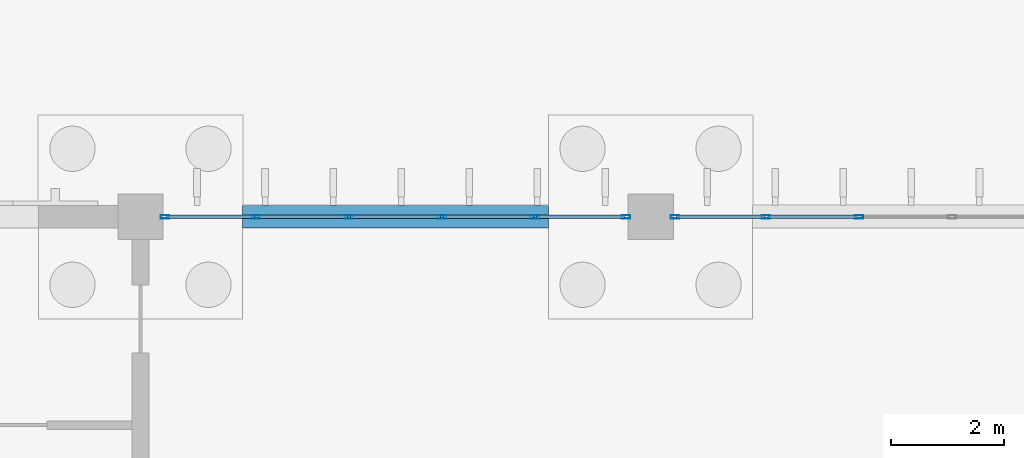
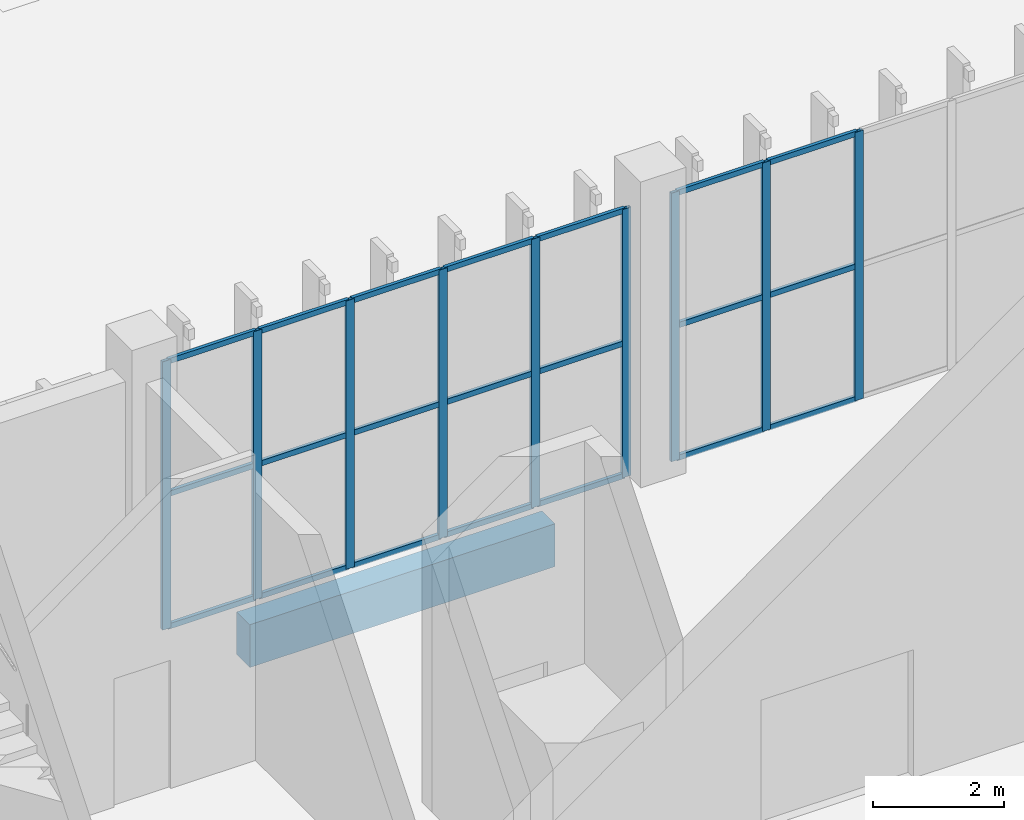
# One storey, part 51 of 198: 30 members, 1 beam, 2 elements without a shape of their own.
"""IFC4 building model written with IfcOpenShell, lengths in metres."""

from ifc_helpers import new_model, si_unit, direction, frame, origin, origin_2d, place, context, subcontext, project, spatial, rectangle, hollow_rectangle, extrude, material, layer, layer_set, material_profile, profile_set, type_object, element, aggregate, save


model = new_model("IFC4")

# Units and contexts
model_context = context("Model", 3, precision=1e-05, world=origin(), true_north=direction((0.0, 1.0)))
body_context = subcontext(model_context, "Body", "Model", "MODEL_VIEW")
ifc_project = project(units=[si_unit("LENGTHUNIT", "METRE"), si_unit("AREAUNIT", "SQUARE_METRE"), si_unit("VOLUMEUNIT", "CUBIC_METRE"), si_unit("PLANEANGLEUNIT", "RADIAN"), si_unit("MASSUNIT", "GRAM", prefix="KILO")], contexts=[model_context])

# Site, building, storey
site_placement = place(None, origin())
site = spatial("IfcSite", under=ifc_project, at=site_placement, CompositionType="ELEMENT")
building_placement = place(site_placement, origin())
building = spatial("IfcBuilding", under=site, at=building_placement, Name="Opaline Strait Convention Centre", CompositionType="ELEMENT")
storey_placement = place(building_placement, origin())
storey = spatial("IfcBuildingStorey", under=building, at=storey_placement, Name="L00", CompositionType="ELEMENT", Elevation=0.0)

# Curtain wall, members
ifc_material_1 = material(Name="Aluminium 6063-T5", Category="aluminium")
ifc_layer = layer(ifc_material_1, 0.199951171875)
ifc_layer_set = layer_set([ifc_layer], Name="Aluminium 6063-T5")
curtain_wall_type = type_object("IfcCurtainWallType", Name="Unitised curtain wall 1640 module", PredefinedType="NOTDEFINED", material=ifc_layer_set)
curtain_wall_1_placement = place(storey_placement, origin())
curtain_wall_1 = element("IfcCurtainWall", 1, at=curtain_wall_1_placement, inside=storey, type_object=curtain_wall_type, Name="Ballroom north curtain wall L00 bay 2", PredefinedType="NOTDEFINED")
ifc_material_2 = material(Name="Aluminium alloy 6063", Category="aluminium")
ifc_material_profile_1 = material_profile(ifc_material_2, hollow_rectangle(XDim=0.06005859375, YDim=0.14990234375, WallThickness=0.00390625, at=origin_2d()), Name="MULLION 60x150x4")
ifc_profile_set_1 = profile_set([ifc_material_profile_1], Name="Aluminium alloy 6063")
member_type_1 = type_object("IfcMemberType", Name="Curtain wall mullion 60 x 150", PredefinedType="MULLION", material=ifc_profile_set_1)
member_1_placement = place(storey_placement, frame((297.429931640625, 72.0, 0.0), z_axis=(0.0, 0.0, 1.0), x_axis=(0.0, 1.0, 0.0)))
member_1 = element("IfcMember", 2, at=member_1_placement, type_object=member_type_1, Name="BG2 mullion 1", PredefinedType="MULLION", context=body_context, shape_type="SweptSolid", body=[
    extrude(hollow_rectangle(XDim=0.06005859375, YDim=0.14990234375, WallThickness=0.00390625, at=origin_2d()), origin(), (0.0, 0.0, 1.0), 5.02001953125),
])
member_2_placement = place(storey_placement, frame((299.0400390625, 72.0, 0.0), z_axis=(0.0, 0.0, 1.0), x_axis=(0.0, 1.0, 0.0)))
member_2 = element("IfcMember", 3, at=member_2_placement, type_object=member_type_1, Name="BG2 mullion 2", PredefinedType="MULLION", context=body_context, shape_type="SweptSolid", body=[
    extrude(hollow_rectangle(XDim=0.06005859375, YDim=0.14990234375, WallThickness=0.00390625, at=origin_2d()), origin(), (0.0, 0.0, 1.0), 5.02001953125),
])
member_3_placement = place(storey_placement, frame((300.679931640625, 72.0, 0.0), z_axis=(0.0, 0.0, 1.0), x_axis=(0.0, 1.0, 0.0)))
member_3 = element("IfcMember", 4, at=member_3_placement, type_object=member_type_1, Name="BG2 mullion 3", PredefinedType="MULLION", context=body_context, shape_type="SweptSolid", body=[
    extrude(hollow_rectangle(XDim=0.06005859375, YDim=0.14990234375, WallThickness=0.00390625, at=origin_2d()), origin(), (0.0, 0.0, 1.0), 5.02001953125),
])
member_4_placement = place(storey_placement, frame((302.320068359375, 72.0, 0.0), z_axis=(0.0, 0.0, 1.0), x_axis=(0.0, 1.0, 0.0)))
member_4 = element("IfcMember", 5, at=member_4_placement, type_object=member_type_1, Name="BG2 mullion 4", PredefinedType="MULLION", context=body_context, shape_type="SweptSolid", body=[
    extrude(hollow_rectangle(XDim=0.06005859375, YDim=0.14990234375, WallThickness=0.00390625, at=origin_2d()), origin(), (0.0, 0.0, 1.0), 5.02001953125),
])
member_5_placement = place(storey_placement, frame((303.9599609375, 72.0, 0.0), z_axis=(0.0, 0.0, 1.0), x_axis=(0.0, 1.0, 0.0)))
member_5 = element("IfcMember", 6, at=member_5_placement, type_object=member_type_1, Name="BG2 mullion 5", PredefinedType="MULLION", context=body_context, shape_type="SweptSolid", body=[
    extrude(hollow_rectangle(XDim=0.06005859375, YDim=0.14990234375, WallThickness=0.00390625, at=origin_2d()), origin(), (0.0, 0.0, 1.0), 5.02001953125),
])
member_6_placement = place(storey_placement, frame((305.570068359375, 72.0, 0.0), z_axis=(0.0, 0.0, 1.0), x_axis=(0.0, 1.0, 0.0)))
member_6 = element("IfcMember", 7, at=member_6_placement, type_object=member_type_1, Name="BG2 mullion 6", PredefinedType="MULLION", context=body_context, shape_type="SweptSolid", body=[
    extrude(hollow_rectangle(XDim=0.06005859375, YDim=0.14990234375, WallThickness=0.00390625, at=origin_2d()), origin(), (0.0, 0.0, 1.0), 5.02001953125),
])

curtain_wall_2_placement = place(storey_placement, origin())
curtain_wall_2 = element("IfcCurtainWall", 8, at=curtain_wall_2_placement, inside=storey, type_object=curtain_wall_type, Name="Ballroom north curtain wall L00 bay 3", PredefinedType="NOTDEFINED")
member_7_placement = place(storey_placement, frame((306.429931640625, 72.0, 0.0), z_axis=(0.0, 0.0, 1.0), x_axis=(0.0, 1.0, 0.0)))
member_7 = element("IfcMember", 9, at=member_7_placement, type_object=member_type_1, Name="BG2 mullion 1", PredefinedType="MULLION", context=body_context, shape_type="SweptSolid", body=[
    extrude(hollow_rectangle(XDim=0.06005859375, YDim=0.14990234375, WallThickness=0.00390625, at=origin_2d()), origin(), (0.0, 0.0, 1.0), 5.02001953125),
])
member_8_placement = place(storey_placement, frame((308.0400390625, 72.0, 0.0), z_axis=(0.0, 0.0, 1.0), x_axis=(0.0, 1.0, 0.0)))
member_8 = element("IfcMember", 10, at=member_8_placement, type_object=member_type_1, Name="BG2 mullion 2", PredefinedType="MULLION", context=body_context, shape_type="SweptSolid", body=[
    extrude(hollow_rectangle(XDim=0.06005859375, YDim=0.14990234375, WallThickness=0.00390625, at=origin_2d()), origin(), (0.0, 0.0, 1.0), 5.02001953125),
])
member_9_placement = place(storey_placement, frame((309.679931640625, 72.0, 0.0), z_axis=(0.0, 0.0, 1.0), x_axis=(0.0, 1.0, 0.0)))
member_9 = element("IfcMember", 11, at=member_9_placement, type_object=member_type_1, Name="BG2 mullion 3", PredefinedType="MULLION", context=body_context, shape_type="SweptSolid", body=[
    extrude(hollow_rectangle(XDim=0.06005859375, YDim=0.14990234375, WallThickness=0.00390625, at=origin_2d()), origin(), (0.0, 0.0, 1.0), 5.02001953125),
])

# Member
ifc_material_profile_2 = material_profile(ifc_material_2, hollow_rectangle(XDim=0.06005859375, YDim=0.10009765625, WallThickness=0.0029296875, at=origin_2d()), Name="TRANSOM 60x100x3")
ifc_profile_set_2 = profile_set([ifc_material_profile_2], Name="Aluminium alloy 6063")
member_type_2 = type_object("IfcMemberType", Name="Curtain wall transom 60 x 100", PredefinedType="USERDEFINED", material=ifc_profile_set_2)
member_10_placement = place(storey_placement, frame((297.4599609375, 72.0, 0.030029296875), z_axis=(1.0, 0.0, 0.0), x_axis=(0.0, 1.0, 0.0)))
member_10 = element("IfcMember", 12, at=member_10_placement, type_object=member_type_2, Name="BG2 transom 1.1", ObjectType="TRANSOM", PredefinedType="USERDEFINED", context=body_context, shape_type="SweptSolid", body=[
    extrude(hollow_rectangle(XDim=0.06005859375, YDim=0.10009765625, WallThickness=0.0029296875, at=origin_2d()), origin(), (0.0, 0.0, 1.0), 1.550048828125),
])

member_11_placement = place(storey_placement, frame((297.4599609375, 72.0, 2.510009765625), z_axis=(1.0, 0.0, 0.0), x_axis=(0.0, 1.0, 0.0)))
member_11 = element("IfcMember", 13, at=member_11_placement, type_object=member_type_2, Name="BG2 transom 1.2", ObjectType="TRANSOM", PredefinedType="USERDEFINED", context=body_context, shape_type="SweptSolid", body=[
    extrude(hollow_rectangle(XDim=0.06005859375, YDim=0.10009765625, WallThickness=0.0029296875, at=origin_2d()), origin(), (0.0, 0.0, 1.0), 1.550048828125),
])

member_12_placement = place(storey_placement, frame((297.4599609375, 72.0, 4.989990234375), z_axis=(1.0, 0.0, 0.0), x_axis=(0.0, 1.0, 0.0)))
member_12 = element("IfcMember", 14, at=member_12_placement, type_object=member_type_2, Name="BG2 transom 1.3", ObjectType="TRANSOM", PredefinedType="USERDEFINED", context=body_context, shape_type="SweptSolid", body=[
    extrude(hollow_rectangle(XDim=0.06005859375, YDim=0.10009765625, WallThickness=0.0029296875, at=origin_2d()), origin(), (0.0, 0.0, 1.0), 1.550048828125),
])

member_13_placement = place(storey_placement, frame((299.06982421875, 72.0, 0.030029296875), z_axis=(1.0, 0.0, 0.0), x_axis=(0.0, 1.0, 0.0)))
member_13 = element("IfcMember", 15, at=member_13_placement, type_object=member_type_2, Name="BG2 transom 2.1", ObjectType="TRANSOM", PredefinedType="USERDEFINED", context=body_context, shape_type="SweptSolid", body=[
    extrude(hollow_rectangle(XDim=0.06005859375, YDim=0.10009765625, WallThickness=0.0029296875, at=origin_2d()), origin(), (0.0, 0.0, 1.0), 1.580078125),
])

member_14_placement = place(storey_placement, frame((299.06982421875, 72.0, 2.510009765625), z_axis=(1.0, 0.0, 0.0), x_axis=(0.0, 1.0, 0.0)))
member_14 = element("IfcMember", 16, at=member_14_placement, type_object=member_type_2, Name="BG2 transom 2.2", ObjectType="TRANSOM", PredefinedType="USERDEFINED", context=body_context, shape_type="SweptSolid", body=[
    extrude(hollow_rectangle(XDim=0.06005859375, YDim=0.10009765625, WallThickness=0.0029296875, at=origin_2d()), origin(), (0.0, 0.0, 1.0), 1.580078125),
])

member_15_placement = place(storey_placement, frame((299.06982421875, 72.0, 4.989990234375), z_axis=(1.0, 0.0, 0.0), x_axis=(0.0, 1.0, 0.0)))
member_15 = element("IfcMember", 17, at=member_15_placement, type_object=member_type_2, Name="BG2 transom 2.3", ObjectType="TRANSOM", PredefinedType="USERDEFINED", context=body_context, shape_type="SweptSolid", body=[
    extrude(hollow_rectangle(XDim=0.06005859375, YDim=0.10009765625, WallThickness=0.0029296875, at=origin_2d()), origin(), (0.0, 0.0, 1.0), 1.580078125),
])

member_16_placement = place(storey_placement, frame((300.7099609375, 72.0, 0.030029296875), z_axis=(1.0, 0.0, 0.0), x_axis=(0.0, 1.0, 0.0)))
member_16 = element("IfcMember", 18, at=member_16_placement, type_object=member_type_2, Name="BG2 transom 3.1", ObjectType="TRANSOM", PredefinedType="USERDEFINED", context=body_context, shape_type="SweptSolid", body=[
    extrude(hollow_rectangle(XDim=0.06005859375, YDim=0.10009765625, WallThickness=0.0029296875, at=origin_2d()), origin(), (0.0, 0.0, 1.0), 1.580078125),
])

member_17_placement = place(storey_placement, frame((300.7099609375, 72.0, 2.510009765625), z_axis=(1.0, 0.0, 0.0), x_axis=(0.0, 1.0, 0.0)))
member_17 = element("IfcMember", 19, at=member_17_placement, type_object=member_type_2, Name="BG2 transom 3.2", ObjectType="TRANSOM", PredefinedType="USERDEFINED", context=body_context, shape_type="SweptSolid", body=[
    extrude(hollow_rectangle(XDim=0.06005859375, YDim=0.10009765625, WallThickness=0.0029296875, at=origin_2d()), origin(), (0.0, 0.0, 1.0), 1.580078125),
])

member_18_placement = place(storey_placement, frame((300.7099609375, 72.0, 4.989990234375), z_axis=(1.0, 0.0, 0.0), x_axis=(0.0, 1.0, 0.0)))
member_18 = element("IfcMember", 20, at=member_18_placement, type_object=member_type_2, Name="BG2 transom 3.3", ObjectType="TRANSOM", PredefinedType="USERDEFINED", context=body_context, shape_type="SweptSolid", body=[
    extrude(hollow_rectangle(XDim=0.06005859375, YDim=0.10009765625, WallThickness=0.0029296875, at=origin_2d()), origin(), (0.0, 0.0, 1.0), 1.580078125),
])

member_19_placement = place(storey_placement, frame((302.35009765625, 72.0, 0.030029296875), z_axis=(1.0, 0.0, 0.0), x_axis=(0.0, 1.0, 0.0)))
member_19 = element("IfcMember", 21, at=member_19_placement, type_object=member_type_2, Name="BG2 transom 4.1", ObjectType="TRANSOM", PredefinedType="USERDEFINED", context=body_context, shape_type="SweptSolid", body=[
    extrude(hollow_rectangle(XDim=0.06005859375, YDim=0.10009765625, WallThickness=0.0029296875, at=origin_2d()), origin(), (0.0, 0.0, 1.0), 1.580078125),
])

member_20_placement = place(storey_placement, frame((302.35009765625, 72.0, 2.510009765625), z_axis=(1.0, 0.0, 0.0), x_axis=(0.0, 1.0, 0.0)))
member_20 = element("IfcMember", 22, at=member_20_placement, type_object=member_type_2, Name="BG2 transom 4.2", ObjectType="TRANSOM", PredefinedType="USERDEFINED", context=body_context, shape_type="SweptSolid", body=[
    extrude(hollow_rectangle(XDim=0.06005859375, YDim=0.10009765625, WallThickness=0.0029296875, at=origin_2d()), origin(), (0.0, 0.0, 1.0), 1.580078125),
])

member_21_placement = place(storey_placement, frame((302.35009765625, 72.0, 4.989990234375), z_axis=(1.0, 0.0, 0.0), x_axis=(0.0, 1.0, 0.0)))
member_21 = element("IfcMember", 23, at=member_21_placement, type_object=member_type_2, Name="BG2 transom 4.3", ObjectType="TRANSOM", PredefinedType="USERDEFINED", context=body_context, shape_type="SweptSolid", body=[
    extrude(hollow_rectangle(XDim=0.06005859375, YDim=0.10009765625, WallThickness=0.0029296875, at=origin_2d()), origin(), (0.0, 0.0, 1.0), 1.580078125),
])

member_22_placement = place(storey_placement, frame((303.989990234375, 72.0, 0.030029296875), z_axis=(1.0, 0.0, 0.0), x_axis=(0.0, 1.0, 0.0)))
member_22 = element("IfcMember", 24, at=member_22_placement, type_object=member_type_2, Name="BG2 transom 5.1", ObjectType="TRANSOM", PredefinedType="USERDEFINED", context=body_context, shape_type="SweptSolid", body=[
    extrude(hollow_rectangle(XDim=0.06005859375, YDim=0.10009765625, WallThickness=0.0029296875, at=origin_2d()), origin(), (0.0, 0.0, 1.0), 1.550048828125),
])

member_23_placement = place(storey_placement, frame((303.989990234375, 72.0, 2.510009765625), z_axis=(1.0, 0.0, 0.0), x_axis=(0.0, 1.0, 0.0)))
member_23 = element("IfcMember", 25, at=member_23_placement, type_object=member_type_2, Name="BG2 transom 5.2", ObjectType="TRANSOM", PredefinedType="USERDEFINED", context=body_context, shape_type="SweptSolid", body=[
    extrude(hollow_rectangle(XDim=0.06005859375, YDim=0.10009765625, WallThickness=0.0029296875, at=origin_2d()), origin(), (0.0, 0.0, 1.0), 1.550048828125),
])

member_24_placement = place(storey_placement, frame((303.989990234375, 72.0, 4.989990234375), z_axis=(1.0, 0.0, 0.0), x_axis=(0.0, 1.0, 0.0)))
member_24 = element("IfcMember", 26, at=member_24_placement, type_object=member_type_2, Name="BG2 transom 5.3", ObjectType="TRANSOM", PredefinedType="USERDEFINED", context=body_context, shape_type="SweptSolid", body=[
    extrude(hollow_rectangle(XDim=0.06005859375, YDim=0.10009765625, WallThickness=0.0029296875, at=origin_2d()), origin(), (0.0, 0.0, 1.0), 1.550048828125),
])

aggregate(curtain_wall_1, [member_1, member_2, member_3, member_4, member_5, member_6, member_10, member_11, member_12, member_13, member_14, member_15, member_16, member_17, member_18, member_19, member_20, member_21, member_22, member_23, member_24])

member_25_placement = place(storey_placement, frame((306.4599609375, 72.0, 0.030029296875), z_axis=(1.0, 0.0, 0.0), x_axis=(0.0, 1.0, 0.0)))
member_25 = element("IfcMember", 27, at=member_25_placement, type_object=member_type_2, Name="BG2 transom 1.1", ObjectType="TRANSOM", PredefinedType="USERDEFINED", context=body_context, shape_type="SweptSolid", body=[
    extrude(hollow_rectangle(XDim=0.06005859375, YDim=0.10009765625, WallThickness=0.0029296875, at=origin_2d()), origin(), (0.0, 0.0, 1.0), 1.550048828125),
])

member_26_placement = place(storey_placement, frame((306.4599609375, 72.0, 2.510009765625), z_axis=(1.0, 0.0, 0.0), x_axis=(0.0, 1.0, 0.0)))
member_26 = element("IfcMember", 28, at=member_26_placement, type_object=member_type_2, Name="BG2 transom 1.2", ObjectType="TRANSOM", PredefinedType="USERDEFINED", context=body_context, shape_type="SweptSolid", body=[
    extrude(hollow_rectangle(XDim=0.06005859375, YDim=0.10009765625, WallThickness=0.0029296875, at=origin_2d()), origin(), (0.0, 0.0, 1.0), 1.550048828125),
])

member_27_placement = place(storey_placement, frame((306.4599609375, 72.0, 4.989990234375), z_axis=(1.0, 0.0, 0.0), x_axis=(0.0, 1.0, 0.0)))
member_27 = element("IfcMember", 29, at=member_27_placement, type_object=member_type_2, Name="BG2 transom 1.3", ObjectType="TRANSOM", PredefinedType="USERDEFINED", context=body_context, shape_type="SweptSolid", body=[
    extrude(hollow_rectangle(XDim=0.06005859375, YDim=0.10009765625, WallThickness=0.0029296875, at=origin_2d()), origin(), (0.0, 0.0, 1.0), 1.550048828125),
])

member_28_placement = place(storey_placement, frame((308.06982421875, 72.0, 0.030029296875), z_axis=(1.0, 0.0, 0.0), x_axis=(0.0, 1.0, 0.0)))
member_28 = element("IfcMember", 30, at=member_28_placement, type_object=member_type_2, Name="BG2 transom 2.1", ObjectType="TRANSOM", PredefinedType="USERDEFINED", context=body_context, shape_type="SweptSolid", body=[
    extrude(hollow_rectangle(XDim=0.06005859375, YDim=0.10009765625, WallThickness=0.0029296875, at=origin_2d()), origin(), (0.0, 0.0, 1.0), 1.580078125),
])

member_29_placement = place(storey_placement, frame((308.06982421875, 72.0, 2.510009765625), z_axis=(1.0, 0.0, 0.0), x_axis=(0.0, 1.0, 0.0)))
member_29 = element("IfcMember", 31, at=member_29_placement, type_object=member_type_2, Name="BG2 transom 2.2", ObjectType="TRANSOM", PredefinedType="USERDEFINED", context=body_context, shape_type="SweptSolid", body=[
    extrude(hollow_rectangle(XDim=0.06005859375, YDim=0.10009765625, WallThickness=0.0029296875, at=origin_2d()), origin(), (0.0, 0.0, 1.0), 1.580078125),
])

member_30_placement = place(storey_placement, frame((308.06982421875, 72.0, 4.989990234375), z_axis=(1.0, 0.0, 0.0), x_axis=(0.0, 1.0, 0.0)))
member_30 = element("IfcMember", 32, at=member_30_placement, type_object=member_type_2, Name="BG2 transom 2.3", ObjectType="TRANSOM", PredefinedType="USERDEFINED", context=body_context, shape_type="SweptSolid", body=[
    extrude(hollow_rectangle(XDim=0.06005859375, YDim=0.10009765625, WallThickness=0.0029296875, at=origin_2d()), origin(), (0.0, 0.0, 1.0), 1.580078125),
])

aggregate(curtain_wall_2, [member_7, member_8, member_9, member_25, member_26, member_27, member_28, member_29, member_30])

# Beam
ifc_material_3 = material(Name="Concrete C35", Category="concrete")
ifc_material_profile_3 = material_profile(ifc_material_3, rectangle(XDim=0.39990234375, YDim=0.800048828125, at=origin_2d()), Name="RC 400x800")
ifc_profile_set_3 = profile_set([ifc_material_profile_3], Name="Concrete C35")
beam_type = type_object("IfcBeamType", Name="Ground beam 400x800 C35", PredefinedType="BEAM", material=ifc_profile_set_3)
beam_placement = place(storey_placement, frame((298.800048828125, 72.0, -0.699951171875), z_axis=(1.0, 0.0, 0.0), x_axis=(0.0, 1.0, 0.0)))
element("IfcBeam", 33, at=beam_placement, inside=storey, type_object=beam_type, Name="BG1 ground beam 34/J-35/J", PredefinedType="BEAM", context=body_context, shape_type="SweptSolid", body=[
    extrude(rectangle(XDim=0.39990234375, YDim=0.800048828125, at=origin_2d()), origin(), (0.0, 0.0, 1.0), 5.39990234375),
])

save(model, "model.ifc")
